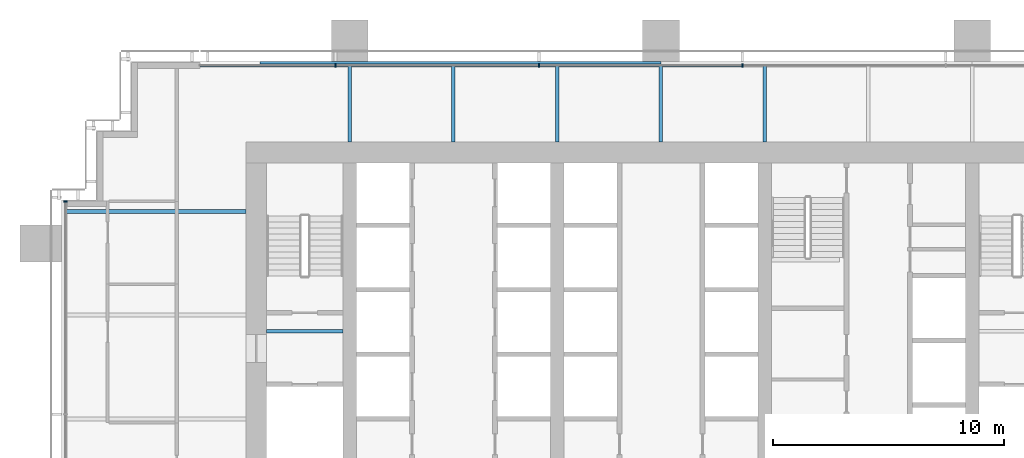
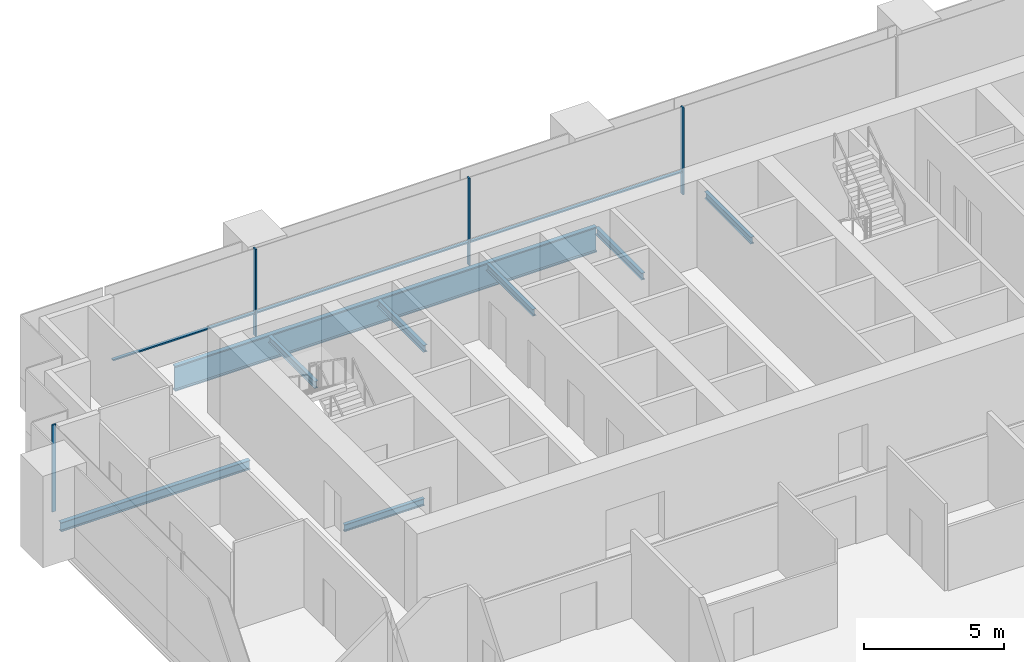
# One storey, part 8 of 19: 8 beams, 7 members, 2 elements without a shape of their own.
"""IFC4 building model written with IfcOpenShell, lengths in metres."""

from ifc_helpers import new_model, si_unit, direction, frame, origin, origin_2d, place, context, subcontext, project, spatial, rectangle, i_section, extrude, material, material_profile, profile_set, type_object, element, aggregate, save


model = new_model("IFC4")

# Units and contexts
model_context = context("Model", 3, precision=1e-05, world=origin(), true_north=direction((0.0, 1.0)))
body_context = subcontext(model_context, "Body", "Model", "MODEL_VIEW")
ifc_project = project(units=[si_unit("LENGTHUNIT", "METRE"), si_unit("AREAUNIT", "SQUARE_METRE"), si_unit("VOLUMEUNIT", "CUBIC_METRE"), si_unit("PLANEANGLEUNIT", "RADIAN"), si_unit("MASSUNIT", "GRAM", prefix="KILO")], contexts=[model_context])

# Site, building, storey
site_placement = place(None, origin())
site = spatial("IfcSite", under=ifc_project, at=site_placement, CompositionType="ELEMENT")
building_placement = place(site_placement, origin())
building = spatial("IfcBuilding", under=site, at=building_placement, Name="Rattan Terrace Tower", CompositionType="ELEMENT")
storey_placement = place(building_placement, frame((0.0, 0.0, 87.699951171875)))
storey = spatial("IfcBuildingStorey", under=building, at=storey_placement, Name="L19", CompositionType="ELEMENT", Elevation=87.699951171875)

# Curtain wall, members
ifc_material_1 = material(Name="Aluminium and glass", Category="aluminium")
curtain_wall_type = type_object("IfcCurtainWallType", Name="Facade Unitised Curtain Wall", PredefinedType="NOTDEFINED", material=ifc_material_1)
curtain_wall_1_placement = place(storey_placement, origin())
curtain_wall_1 = element("IfcCurtainWall", 1, at=curtain_wall_1_placement, inside=storey, type_object=curtain_wall_type, Name="Curtain wall L19-2", PredefinedType="NOTDEFINED")
ifc_material_2 = material(Name="Aluminium", Category="aluminium")
ifc_material_profile_1 = material_profile(ifc_material_2, rectangle(XDim=0.06005859375, YDim=0.159912109375, at=origin_2d()), Name="Aluminium 60x160")
ifc_profile_set_1 = profile_set([ifc_material_profile_1], Name="Aluminium")
member_type_1 = type_object("IfcMemberType", Name="Facade CW Mullion 60x160", PredefinedType="MULLION", material=ifc_profile_set_1)
member_1_placement = place(storey_placement, frame((3.531005859375, 10.830078125, 0.0), z_axis=(0.0, 0.0, 1.0), x_axis=(-1.0, 0.0, 0.0)))
member_1 = element("IfcMember", 2, at=member_1_placement, type_object=member_type_1, Name="Mullion cwl-L19-002.4", PredefinedType="MULLION", context=body_context, shape_type="SweptSolid", body=[
    extrude(rectangle(XDim=0.06005859375, YDim=0.159912109375, at=origin_2d()), origin(), (0.0, 0.0, 1.0), 3.800048828125),
])
member_2_placement = place(storey_placement, frame((-5.2919921875, 10.830078125, 0.0), z_axis=(0.0, 0.0, 1.0), x_axis=(-1.0, 0.0, 0.0)))
member_2 = element("IfcMember", 3, at=member_2_placement, type_object=member_type_1, Name="Mullion cwl-L19-002.5", PredefinedType="MULLION", context=body_context, shape_type="SweptSolid", body=[
    extrude(rectangle(XDim=0.06005859375, YDim=0.159912109375, at=origin_2d()), origin(), (0.0, 0.0, 1.0), 3.800048828125),
])
member_3_placement = place(storey_placement, frame((-14.114990234375, 10.830078125, 0.0), z_axis=(0.0, 0.0, 1.0), x_axis=(-1.0, 0.0, 0.0)))
member_3 = element("IfcMember", 4, at=member_3_placement, type_object=member_type_1, Name="Mullion cwl-L19-002.6", PredefinedType="MULLION", context=body_context, shape_type="SweptSolid", body=[
    extrude(rectangle(XDim=0.06005859375, YDim=0.159912109375, at=origin_2d()), origin(), (0.0, 0.0, 1.0), 3.800048828125),
])

# Curtain wall, member
curtain_wall_2_placement = place(storey_placement, origin())
curtain_wall_2 = element("IfcCurtainWall", 5, at=curtain_wall_2_placement, inside=storey, type_object=curtain_wall_type, Name="Curtain wall L19-3", PredefinedType="NOTDEFINED")
member_4_placement = place(storey_placement, frame((-25.830078125, 4.925048828125, 0.0), z_axis=(0.0, 0.0, 1.0), x_axis=(0.0, -1.0, 0.0)))
member_4 = element("IfcMember", 6, at=member_4_placement, type_object=member_type_1, Name="Mullion cwl-L19-003.1", PredefinedType="MULLION", context=body_context, shape_type="SweptSolid", body=[
    extrude(rectangle(XDim=0.06005859375, YDim=0.159912109375, at=origin_2d()), origin(), (0.0, 0.0, 1.0), 3.800048828125),
])
aggregate(curtain_wall_2, [member_4])

# Member
ifc_material_3 = material(Name="Aluminium", Category="aluminium")
ifc_material_profile_2 = material_profile(ifc_material_3, rectangle(XDim=0.1201171875, YDim=0.06005859375, at=origin_2d()), Name="Aluminium 120x60")
ifc_profile_set_2 = profile_set([ifc_material_profile_2], Name="Aluminium")
member_type_2 = type_object("IfcMemberType", Name="Facade CW Transom 120x60", PredefinedType="USERDEFINED", material=ifc_profile_set_2)
member_5_placement = place(storey_placement, frame((3.5009765625, 10.830078125, 1.0), z_axis=(-1.0, 0.0, 0.0), x_axis=(0.0, -1.0, 0.0)))
member_5 = element("IfcMember", 7, at=member_5_placement, type_object=member_type_2, Name="Transom cwl-L19-002.4", ObjectType="TRANSOM", PredefinedType="USERDEFINED", context=body_context, shape_type="SweptSolid", body=[
    extrude(rectangle(XDim=0.1201171875, YDim=0.06005859375, at=origin_2d()), origin(), (0.0, 0.0, 1.0), 8.762939453125),
])

member_6_placement = place(storey_placement, frame((-5.322021484375, 10.830078125, 1.0), z_axis=(-1.0, 0.0, 0.0), x_axis=(0.0, -1.0, 0.0)))
member_6 = element("IfcMember", 8, at=member_6_placement, type_object=member_type_2, Name="Transom cwl-L19-002.5", ObjectType="TRANSOM", PredefinedType="USERDEFINED", context=body_context, shape_type="SweptSolid", body=[
    extrude(rectangle(XDim=0.1201171875, YDim=0.06005859375, at=origin_2d()), origin(), (0.0, 0.0, 1.0), 8.762939453125),
])

member_7_placement = place(storey_placement, frame((-14.14501953125, 10.830078125, 1.0), z_axis=(-1.0, 0.0, 0.0), x_axis=(0.0, -1.0, 0.0)))
member_7 = element("IfcMember", 9, at=member_7_placement, type_object=member_type_2, Name="Transom cwl-L19-002.6", ObjectType="TRANSOM", PredefinedType="USERDEFINED", context=body_context, shape_type="SweptSolid", body=[
    extrude(rectangle(XDim=0.1201171875, YDim=0.06005859375, at=origin_2d()), origin(), (0.0, 0.0, 1.0), 5.85498046875),
])

aggregate(curtain_wall_1, [member_1, member_2, member_3, member_5, member_6, member_7])

# Beams
ifc_material_4 = material(Name="Steel S460", Category="steel")
ifc_material_profile_3 = material_profile(ifc_material_4, i_section(OverallWidth=0.179931640625, OverallDepth=1.10009765625, WebThickness=0.01611328125, FlangeThickness=0.050048828125, at=origin_2d()), Name="PG 1100x180-16-50")
ifc_profile_set_3 = profile_set([ifc_material_profile_3], Name="Steel S460")
beam_type_1 = type_object("IfcBeamType", Name="Frame edge girder PG 1100x180-16-50", PredefinedType="SPANDREL", material=ifc_profile_set_3)
beam_1_placement = place(storey_placement, frame((-17.39990234375, 10.909912109375, -0.75), z_axis=(1.0, 0.0, 0.0), x_axis=(0.0, 1.0, 0.0)))
element("IfcBeam", 10, at=beam_1_placement, inside=storey, type_object=beam_type_1, Name="gdr-L19-006", PredefinedType="SPANDREL", context=body_context, shape_type="SweptSolid", body=[
    extrude(i_section(OverallWidth=0.179931640625, OverallDepth=1.10009765625, WebThickness=0.01611328125, FlangeThickness=0.050048828125, at=origin_2d()), origin(), (0.0, 0.0, 1.0), 17.39990234375),
])
ifc_material_5 = material(Name="Steel S355", Category="steel")
ifc_material_profile_4 = material_profile(ifc_material_5, i_section(OverallWidth=0.14990234375, OverallDepth=0.300048828125, WebThickness=0.007080078125, FlangeThickness=0.0107421875, FilletRadius=0.014892578125, at=origin_2d()), Name="IPE 300")
ifc_profile_set_4 = profile_set([ifc_material_profile_4], Name="Steel S355")
beam_type_2 = type_object("IfcBeamType", Name="Frame floor beam IPE 300", PredefinedType="JOIST", material=ifc_profile_set_4)
beam_2_placement = place(storey_placement, frame((-17.10009765625, -0.695068359375, -0.349853515625), z_axis=(1.0, 0.0, 0.0), x_axis=(0.0, 1.0, 0.0)))
element("IfcBeam", 11, at=beam_2_placement, inside=storey, type_object=beam_type_2, Name="bm-L19-001", PredefinedType="JOIST", context=body_context, shape_type="SweptSolid", body=[
    extrude(i_section(OverallWidth=0.14990234375, OverallDepth=0.300048828125, WebThickness=0.007080078125, FlangeThickness=0.0107421875, FilletRadius=0.014892578125, at=origin_2d()), origin(), (0.0, 0.0, 1.0), 3.300048828125),
])
for number, where, z_axis, x_axis, name in (
    (12, (-13.5, 7.5, -0.349853515625), (0.0, 1.0, 0.0), (-1.0, 0.0, 0.0), "bm-L19-018"),
    (13, (-9.0, 7.5, -0.349853515625), (0.0, 1.0, 0.0), (-1.0, 0.0, 0.0), "bm-L19-019"),
    (14, (-4.5, 7.5, -0.349853515625), (0.0, 1.0, 0.0), (-1.0, 0.0, 0.0), "bm-L19-020"),
    (15, (0.0, 7.5, -0.349853515625), (0.0, 1.0, 0.0), (-1.0, 0.0, 0.0), "bm-L19-021"),
    (16, (4.5, 7.5, -0.349853515625), (0.0, 1.0, 0.0), (-1.0, 0.0, 0.0), "bm-L19-022"),
):
    element("IfcBeam", number, at=place(storey_placement, frame(where, z_axis=z_axis, x_axis=x_axis)), inside=storey, type_object=beam_type_2, Name=name, PredefinedType="JOIST", context=body_context, shape_type="SweptSolid", body=[
        extrude(i_section(OverallWidth=0.14990234375, OverallDepth=0.300048828125, WebThickness=0.007080078125, FlangeThickness=0.0107421875, FilletRadius=0.014892578125, at=origin_2d()), origin(), (0.0, 0.0, 1.0), 3.320068359375),
    ])
ifc_material_6 = material(Name="Steel S355", Category="steel")
ifc_material_profile_5 = material_profile(ifc_material_6, i_section(OverallWidth=0.179931640625, OverallDepth=0.39990234375, WebThickness=0.008544921875, FlangeThickness=0.013427734375, FilletRadius=0.02099609375, at=origin_2d()), Name="IPE 400")
ifc_profile_set_5 = profile_set([ifc_material_profile_5], Name="Steel S355")
beam_type_3 = type_object("IfcBeamType", Name="Frame floor beam IPE 400", PredefinedType="JOIST", material=ifc_profile_set_5)
beam_3_placement = place(storey_placement, frame((-25.820068359375, 4.5, -0.39990234375), z_axis=(1.0, 0.0, 0.0), x_axis=(0.0, 1.0, 0.0)))
element("IfcBeam", 17, at=beam_3_placement, inside=storey, type_object=beam_type_3, Name="bm-L19-016", PredefinedType="JOIST", context=body_context, shape_type="SweptSolid", body=[
    extrude(i_section(OverallWidth=0.179931640625, OverallDepth=0.39990234375, WebThickness=0.008544921875, FlangeThickness=0.013427734375, FilletRadius=0.02099609375, at=origin_2d()), origin(), (0.0, 0.0, 1.0), 7.820068359375),
])

save(model, "model.ifc")
